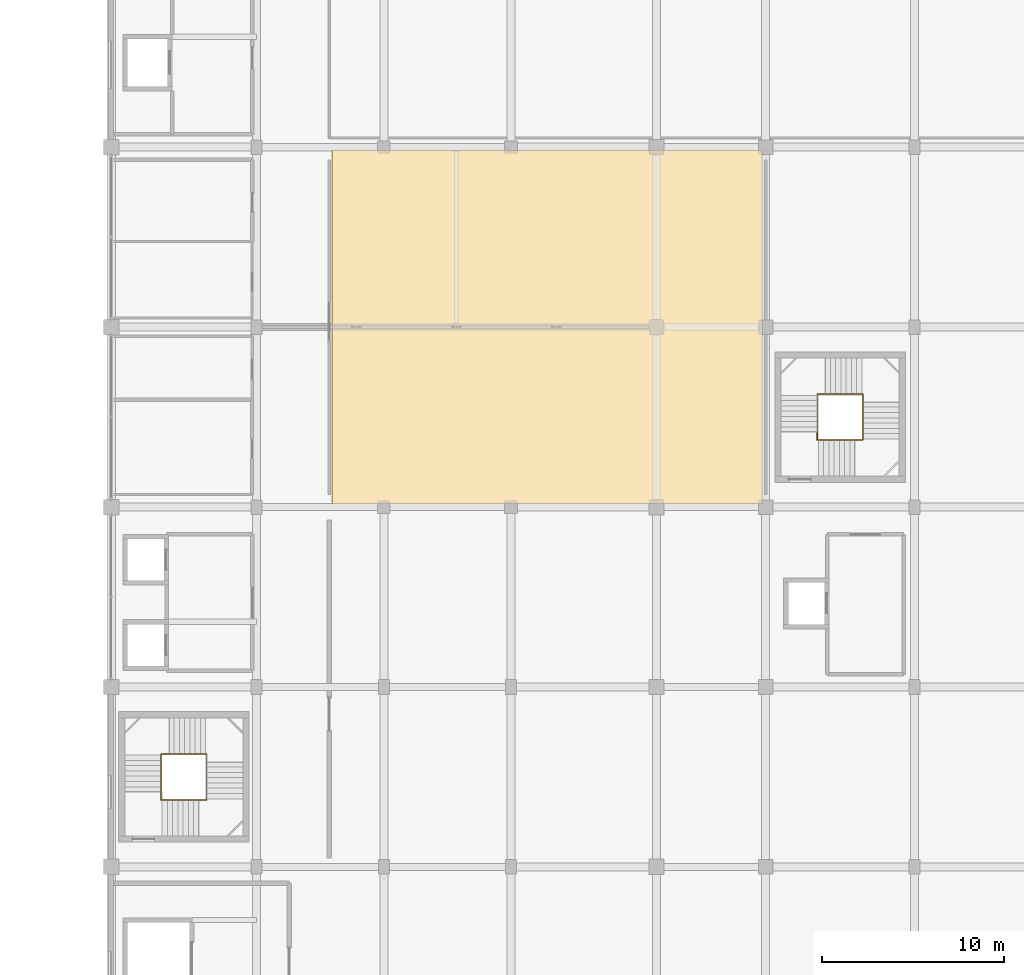
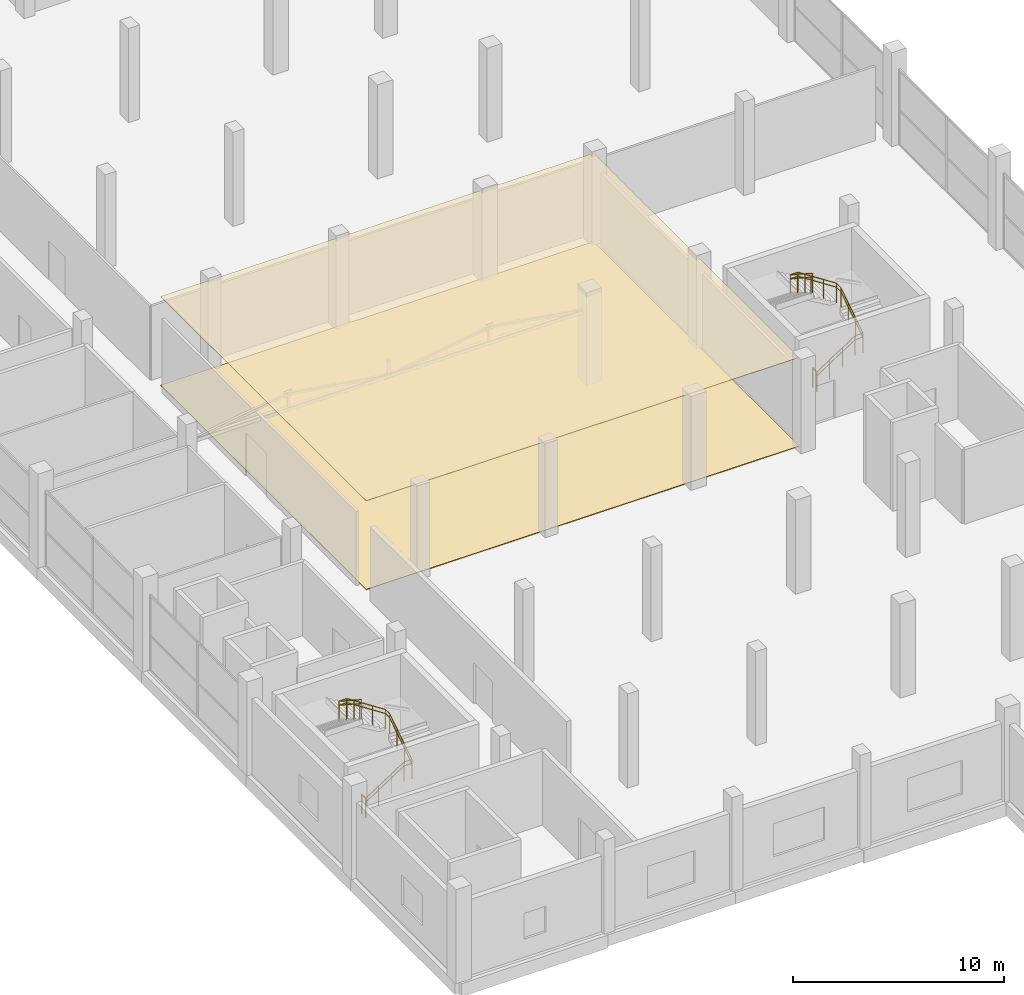
# One storey, part 69 of 72: 6 railings, 2 coverings.
"""IFC4 building model written with IfcOpenShell, lengths in metres."""

from ifc_helpers import new_model, si_unit, direction, frame, origin, origin_2d, place, context, subcontext, project, spatial, polyline, circle, outline, extrude, material, layer, layer_set, type_object, element, save


model = new_model("IFC4")

# Units and contexts
model_context = context("Model", 3, precision=1e-05, world=origin(), true_north=direction((0.0, 1.0)))
body_context = subcontext(model_context, "Body", "Model", "MODEL_VIEW")
ifc_project = project(units=[si_unit("LENGTHUNIT", "METRE"), si_unit("AREAUNIT", "SQUARE_METRE"), si_unit("VOLUMEUNIT", "CUBIC_METRE"), si_unit("PLANEANGLEUNIT", "RADIAN"), si_unit("MASSUNIT", "GRAM", prefix="KILO")], contexts=[model_context])

# Site, building, storey
site_placement = place(None, origin())
site = spatial("IfcSite", under=ifc_project, at=site_placement, CompositionType="ELEMENT")
building_placement = place(site_placement, origin())
building = spatial("IfcBuilding", under=site, at=building_placement, Name="Sillaruma Civic Art Gallery", CompositionType="ELEMENT")
storey_placement = place(building_placement, frame((0.0, 0.0, 10.8798828125)))
storey = spatial("IfcBuildingStorey", under=building, at=storey_placement, Name="L02", CompositionType="ELEMENT", Elevation=10.8798828125)

# Coverings
ifc_material_1 = material(Name="Gypsum Acoustic Board", Category="gypsum")
ifc_layer_1 = layer(ifc_material_1, 0.030029296875, Name="Gypsum Acoustic Board")
ifc_layer_set_1 = layer_set([ifc_layer_1], Name="Gypsum Acoustic Board")
covering_type_1 = type_object("IfcCoveringType", Name="COV-CLG-30", PredefinedType="CEILING", material=ifc_layer_set_1)
covering_1_placement = place(storey_placement, frame((0.0, 0.0, 5.130126953125)))
element("IfcCovering", 1, at=covering_1_placement, inside=storey, type_object=covering_type_1, Name="Acoustic Gallery Ceiling (L02-GAL21)", PredefinedType="CEILING", context=body_context, shape_type="SweptSolid", body=[
    extrude(outline(polyline([(74.159912109375, 49.659912109375), (97.840087890625, 49.659912109375), (97.840087890625, 69.139892578125), (74.159912109375, 69.139892578125), (74.159912109375, 49.659912109375)])), origin(), (0.0, 0.0, 1.0), 0.030029296875),
])
ifc_material_2 = material(Name="Basalt Paver Stone", Category="masonry")
ifc_layer_2 = layer(ifc_material_2, 0.034912109375, Name="Basalt Paver Stone")
ifc_layer_set_2 = layer_set([ifc_layer_2], Name="Basalt Paver Stone")
covering_type_2 = type_object("IfcCoveringType", Name="COV-FLR-35", PredefinedType="FLOORING", material=ifc_layer_set_2)
covering_2_placement = place(storey_placement, origin())
element("IfcCovering", 2, at=covering_2_placement, inside=storey, type_object=covering_type_2, Name="Gallery Stone Terrazzo Flooring (L02-GAL21)", PredefinedType="FLOORING", context=body_context, shape_type="SweptSolid", body=[
    extrude(outline(polyline([(74.159912109375, 49.659912109375), (97.840087890625, 49.659912109375), (97.840087890625, 69.139892578125), (74.159912109375, 69.139892578125), (74.159912109375, 49.659912109375)])), origin(), (0.0, 0.0, 1.0), 0.03515625),
])

# Railings
ifc_material_3 = material(Name="Stainless Steel AISI 316", Category="steel")
railing_type_1 = type_object("IfcRailingType", Name="RAL-BAL-1150", PredefinedType="BALUSTRADE", material=ifc_material_3)
railing_1_placement = place(storey_placement, frame((64.739990234375, 33.389892578125, 0.0)))
element("IfcRailing", 3, at=railing_1_placement, inside=storey, type_object=railing_type_1, Name="Stair Floor Edge Guard (ST-03:L02)", PredefinedType="BALUSTRADE", context=body_context, shape_type="SweptSolid", body=[
    extrude(circle(Radius=0.02392578125, at=origin_2d()), frame((0.0, 0.0, 1.1259765625), z_axis=(0.0, 1.0, 0.0), x_axis=(-1.0, 0.0, 0.0)), (0.0, 0.0, 1.0), 0.39013671875),
    extrude(circle(Radius=0.02099609375, at=origin_2d()), origin(), (0.0, 0.0, 1.0), 1.101806640625),
    extrude(circle(Radius=0.02099609375, at=origin_2d()), frame((0.0, 0.39013671875, 0.0)), (0.0, 0.0, 1.0), 1.101806640625),
])
railing_2_placement = place(storey_placement, frame((64.739990234375, 33.389892578125, 0.0)))
element("IfcRailing", 4, at=railing_2_placement, inside=storey, type_object=railing_type_1, Name="Stair Well Balustrade (ST-03-L02)", PredefinedType="BALUSTRADE", context=body_context, shape_type="SweptSolid", body=[
    extrude(circle(Radius=0.02392578125, at=origin_2d()), frame((0.0, 0.0, 1.1259765625), z_axis=(0.838159424827, 0.0, 0.545425318971), x_axis=(0.0, 1.0, 0.0)), (0.0, 0.0, 1.0), 2.49365234375),
    extrude(circle(Radius=0.02392578125, at=origin_2d()), frame((2.090087890625, 0.0, 2.48583984375), z_axis=(1.0, 0.0, 0.0), x_axis=(0.0, 1.0, 0.0)), (0.0, 0.0, 1.0), 0.429931640625),
    extrude(circle(Radius=0.02392578125, at=origin_2d()), frame((2.52001953125, 0.0, 2.48583984375), z_axis=(0.0, 0.838159424827, 0.545425318971), x_axis=(-1.0, 0.0, 0.0)), (0.0, 0.0, 1.0), 2.49365234375),
    extrude(circle(Radius=0.02392578125, at=origin_2d()), frame((2.52001953125, 2.090087890625, 3.84619140625), z_axis=(0.0, 1.0, 0.0), x_axis=(-1.0, 0.0, 0.0)), (0.0, 0.0, 1.0), 0.429931640625),
    extrude(circle(Radius=0.02392578125, at=origin_2d()), frame((2.52001953125, 2.52001953125, 3.84619140625), z_axis=(-0.838204181713, 0.0, 0.545356534534), x_axis=(0.0, -1.0, 0.0)), (0.0, 0.0, 1.0), 2.49365234375),
    extrude(circle(Radius=0.02392578125, at=origin_2d()), frame((0.429931640625, 2.52001953125, 5.2060546875), z_axis=(-1.0, 0.0, 0.0), x_axis=(0.0, -1.0, 0.0)), (0.0, 0.0, 1.0), 0.429931640625),
    extrude(circle(Radius=0.02392578125, at=origin_2d()), frame((0.0, 2.52001953125, 5.2060546875), z_axis=(0.0, -0.838130295786, 0.545470079185), x_axis=(1.0, 0.0, 0.0)), (0.0, 0.0, 1.0), 2.493408203125),
    extrude(circle(Radius=0.02099609375, at=origin_2d()), origin(), (0.0, 0.0, 1.0), 1.101806640625),
    extrude(circle(Radius=0.02099609375, at=origin_2d()), frame((0.69677734375, 0.0, 0.453369140625)), (0.0, 0.0, 1.0), 1.101806640625),
    extrude(circle(Radius=0.02099609375, at=origin_2d()), frame((1.393310546875, 0.0, 0.90673828125)), (0.0, 0.0, 1.0), 1.101806640625),
    extrude(circle(Radius=0.02099609375, at=origin_2d()), frame((2.090087890625, 0.0, 1.360107421875)), (0.0, 0.0, 1.0), 1.101806640625),
    extrude(circle(Radius=0.02099609375, at=origin_2d()), frame((2.52001953125, 0.0, 1.360107421875)), (0.0, 0.0, 1.0), 1.101806640625),
    extrude(circle(Radius=0.02099609375, at=origin_2d()), frame((2.52001953125, 0.69677734375, 1.8134765625)), (0.0, 0.0, 1.0), 1.101806640625),
    extrude(circle(Radius=0.02099609375, at=origin_2d()), frame((2.52001953125, 1.393310546875, 2.266845703125)), (0.0, 0.0, 1.0), 1.101806640625),
    extrude(circle(Radius=0.02099609375, at=origin_2d()), frame((2.52001953125, 2.090087890625, 2.72021484375)), (0.0, 0.0, 1.0), 1.101806640625),
    extrude(circle(Radius=0.02099609375, at=origin_2d()), frame((2.52001953125, 2.52001953125, 2.72021484375)), (0.0, 0.0, 1.0), 1.101806640625),
    extrude(circle(Radius=0.02099609375, at=origin_2d()), frame((1.8232421875, 2.52001953125, 3.173583984375)), (0.0, 0.0, 1.0), 1.101806640625),
    extrude(circle(Radius=0.02099609375, at=origin_2d()), frame((1.126708984375, 2.52001953125, 3.626708984375)), (0.0, 0.0, 1.0), 1.101806640625),
    extrude(circle(Radius=0.02099609375, at=origin_2d()), frame((0.429931640625, 2.52001953125, 4.080078125)), (0.0, 0.0, 1.0), 1.101806640625),
    extrude(circle(Radius=0.02099609375, at=origin_2d()), frame((0.0, 2.52001953125, 4.080078125)), (0.0, 0.0, 1.0), 1.101806640625),
    extrude(circle(Radius=0.02099609375, at=origin_2d()), frame((0.0, 1.823486328125, 4.533447265625)), (0.0, 0.0, 1.0), 1.101806640625),
    extrude(circle(Radius=0.02099609375, at=origin_2d()), frame((0.0, 1.126708984375, 4.98681640625)), (0.0, 0.0, 1.0), 1.101806640625),
    extrude(circle(Radius=0.02099609375, at=origin_2d()), frame((0.0, 0.43017578125, 5.440185546875)), (0.0, 0.0, 1.0), 1.101806640625),
])
railing_3_placement = place(storey_placement, frame((100.840087890625, 53.18994140625, 0.0)))
element("IfcRailing", 5, at=railing_3_placement, inside=storey, type_object=railing_type_1, Name="Stair Floor Edge Guard (ST-04:L02)", PredefinedType="BALUSTRADE", context=body_context, shape_type="SweptSolid", body=[
    extrude(circle(Radius=0.02392578125, at=origin_2d()), frame((0.0, 0.0, 1.1259765625), z_axis=(0.0, 1.0, 0.0), x_axis=(-1.0, 0.0, 0.0)), (0.0, 0.0, 1.0), 0.39013671875),
    extrude(circle(Radius=0.02099609375, at=origin_2d()), origin(), (0.0, 0.0, 1.0), 1.101806640625),
    extrude(circle(Radius=0.02099609375, at=origin_2d()), frame((0.0, 0.39013671875, 0.0)), (0.0, 0.0, 1.0), 1.101806640625),
])
railing_4_placement = place(storey_placement, frame((100.840087890625, 53.18994140625, 0.0)))
element("IfcRailing", 6, at=railing_4_placement, inside=storey, type_object=railing_type_1, Name="Stair Well Balustrade (ST-04-L02)", PredefinedType="BALUSTRADE", context=body_context, shape_type="SweptSolid", body=[
    extrude(circle(Radius=0.02392578125, at=origin_2d()), frame((0.0, 0.0, 1.1259765625), z_axis=(0.838130295786, 0.0, 0.545470079185), x_axis=(0.0, 1.0, 0.0)), (0.0, 0.0, 1.0), 2.493408203125),
    extrude(circle(Radius=0.02392578125, at=origin_2d()), frame((2.08984375, 0.0, 2.48583984375), z_axis=(1.0, 0.0, 0.0), x_axis=(0.0, 1.0, 0.0)), (0.0, 0.0, 1.0), 0.43017578125),
    extrude(circle(Radius=0.02392578125, at=origin_2d()), frame((2.52001953125, 0.0, 2.48583984375), z_axis=(0.0, 0.838159424827, 0.545425318971), x_axis=(-1.0, 0.0, 0.0)), (0.0, 0.0, 1.0), 2.49365234375),
    extrude(circle(Radius=0.02392578125, at=origin_2d()), frame((2.52001953125, 2.090087890625, 3.84619140625), z_axis=(0.0, 1.0, 0.0), x_axis=(-1.0, 0.0, 0.0)), (0.0, 0.0, 1.0), 0.429931640625),
    extrude(circle(Radius=0.02392578125, at=origin_2d()), frame((2.52001953125, 2.52001953125, 3.84619140625), z_axis=(-0.838204181713, 0.0, 0.545356534534), x_axis=(0.0, -1.0, 0.0)), (0.0, 0.0, 1.0), 2.49365234375),
    extrude(circle(Radius=0.02392578125, at=origin_2d()), frame((0.429931640625, 2.52001953125, 5.2060546875), z_axis=(-1.0, 0.0, 0.0), x_axis=(0.0, -1.0, 0.0)), (0.0, 0.0, 1.0), 0.429931640625),
    extrude(circle(Radius=0.02392578125, at=origin_2d()), frame((0.0, 2.52001953125, 5.2060546875), z_axis=(0.0, -0.838130295786, 0.545470079185), x_axis=(1.0, 0.0, 0.0)), (0.0, 0.0, 1.0), 2.493408203125),
    extrude(circle(Radius=0.02099609375, at=origin_2d()), origin(), (0.0, 0.0, 1.0), 1.101806640625),
    extrude(circle(Radius=0.02099609375, at=origin_2d()), frame((0.696533203125, 0.0, 0.453369140625)), (0.0, 0.0, 1.0), 1.101806640625),
    extrude(circle(Radius=0.02099609375, at=origin_2d()), frame((1.393310546875, 0.0, 0.90673828125)), (0.0, 0.0, 1.0), 1.101806640625),
    extrude(circle(Radius=0.02099609375, at=origin_2d()), frame((2.08984375, 0.0, 1.360107421875)), (0.0, 0.0, 1.0), 1.101806640625),
    extrude(circle(Radius=0.02099609375, at=origin_2d()), frame((2.52001953125, 0.0, 1.360107421875)), (0.0, 0.0, 1.0), 1.101806640625),
    extrude(circle(Radius=0.02099609375, at=origin_2d()), frame((2.52001953125, 0.69677734375, 1.8134765625)), (0.0, 0.0, 1.0), 1.101806640625),
    extrude(circle(Radius=0.02099609375, at=origin_2d()), frame((2.52001953125, 1.393310546875, 2.266845703125)), (0.0, 0.0, 1.0), 1.101806640625),
    extrude(circle(Radius=0.02099609375, at=origin_2d()), frame((2.52001953125, 2.090087890625, 2.72021484375)), (0.0, 0.0, 1.0), 1.101806640625),
    extrude(circle(Radius=0.02099609375, at=origin_2d()), frame((2.52001953125, 2.52001953125, 2.72021484375)), (0.0, 0.0, 1.0), 1.101806640625),
    extrude(circle(Radius=0.02099609375, at=origin_2d()), frame((1.8232421875, 2.52001953125, 3.173583984375)), (0.0, 0.0, 1.0), 1.101806640625),
    extrude(circle(Radius=0.02099609375, at=origin_2d()), frame((1.126708984375, 2.52001953125, 3.626708984375)), (0.0, 0.0, 1.0), 1.101806640625),
    extrude(circle(Radius=0.02099609375, at=origin_2d()), frame((0.429931640625, 2.52001953125, 4.080078125)), (0.0, 0.0, 1.0), 1.101806640625),
    extrude(circle(Radius=0.02099609375, at=origin_2d()), frame((0.0, 2.52001953125, 4.080078125)), (0.0, 0.0, 1.0), 1.101806640625),
    extrude(circle(Radius=0.02099609375, at=origin_2d()), frame((0.0, 1.823486328125, 4.533447265625)), (0.0, 0.0, 1.0), 1.101806640625),
    extrude(circle(Radius=0.02099609375, at=origin_2d()), frame((0.0, 1.126708984375, 4.98681640625)), (0.0, 0.0, 1.0), 1.101806640625),
    extrude(circle(Radius=0.02099609375, at=origin_2d()), frame((0.0, 0.43017578125, 5.440185546875)), (0.0, 0.0, 1.0), 1.101806640625),
])
railing_type_2 = type_object("IfcRailingType", Name="RAL-HND-920", PredefinedType="HANDRAIL", material=ifc_material_3)
railing_5_placement = place(storey_placement, frame((64.739990234375, 33.389892578125, 0.0)))
element("IfcRailing", 7, at=railing_5_placement, inside=storey, type_object=railing_type_2, Name="Stair Continuous Handrail (ST-03-L02)", PredefinedType="HANDRAIL", context=body_context, shape_type="SweptSolid", body=[
    extrude(circle(Radius=0.02392578125, at=origin_2d()), frame((0.0, 0.0, 0.89599609375), z_axis=(0.838159424827, 0.0, 0.545425318971), x_axis=(0.0, 1.0, 0.0)), (0.0, 0.0, 1.0), 2.49365234375),
    extrude(circle(Radius=0.02392578125, at=origin_2d()), frame((2.090087890625, 0.0, 2.255859375), z_axis=(1.0, 0.0, 0.0), x_axis=(0.0, 1.0, 0.0)), (0.0, 0.0, 1.0), 0.429931640625),
    extrude(circle(Radius=0.02392578125, at=origin_2d()), frame((2.52001953125, 0.0, 2.255859375), z_axis=(0.0, 0.838159424827, 0.545425318971), x_axis=(-1.0, 0.0, 0.0)), (0.0, 0.0, 1.0), 2.49365234375),
    extrude(circle(Radius=0.02392578125, at=origin_2d()), frame((2.52001953125, 2.090087890625, 3.6162109375), z_axis=(0.0, 1.0, 0.0), x_axis=(-1.0, 0.0, 0.0)), (0.0, 0.0, 1.0), 0.429931640625),
    extrude(circle(Radius=0.02392578125, at=origin_2d()), frame((2.52001953125, 2.52001953125, 3.6162109375), z_axis=(-0.838204181713, 0.0, 0.545356534534), x_axis=(0.0, -1.0, 0.0)), (0.0, 0.0, 1.0), 2.49365234375),
    extrude(circle(Radius=0.02392578125, at=origin_2d()), frame((0.429931640625, 2.52001953125, 4.97607421875), z_axis=(-1.0, 0.0, 0.0), x_axis=(0.0, -1.0, 0.0)), (0.0, 0.0, 1.0), 0.429931640625),
    extrude(circle(Radius=0.02392578125, at=origin_2d()), frame((0.0, 2.52001953125, 4.97607421875), z_axis=(0.0, -0.838130295786, 0.545470079185), x_axis=(1.0, 0.0, 0.0)), (0.0, 0.0, 1.0), 2.493408203125),
    extrude(circle(Radius=0.02099609375, at=origin_2d()), origin(), (0.0, 0.0, 1.0), 0.871826171875),
    extrude(circle(Radius=0.02099609375, at=origin_2d()), frame((0.69677734375, 0.0, 0.453369140625)), (0.0, 0.0, 1.0), 0.871826171875),
    extrude(circle(Radius=0.02099609375, at=origin_2d()), frame((1.393310546875, 0.0, 0.90673828125)), (0.0, 0.0, 1.0), 0.871826171875),
    extrude(circle(Radius=0.02099609375, at=origin_2d()), frame((2.090087890625, 0.0, 1.360107421875)), (0.0, 0.0, 1.0), 0.871826171875),
    extrude(circle(Radius=0.02099609375, at=origin_2d()), frame((2.52001953125, 0.0, 1.360107421875)), (0.0, 0.0, 1.0), 0.871826171875),
    extrude(circle(Radius=0.02099609375, at=origin_2d()), frame((2.52001953125, 0.69677734375, 1.8134765625)), (0.0, 0.0, 1.0), 0.871826171875),
    extrude(circle(Radius=0.02099609375, at=origin_2d()), frame((2.52001953125, 1.393310546875, 2.266845703125)), (0.0, 0.0, 1.0), 0.871826171875),
    extrude(circle(Radius=0.02099609375, at=origin_2d()), frame((2.52001953125, 2.090087890625, 2.72021484375)), (0.0, 0.0, 1.0), 0.871826171875),
    extrude(circle(Radius=0.02099609375, at=origin_2d()), frame((2.52001953125, 2.52001953125, 2.72021484375)), (0.0, 0.0, 1.0), 0.871826171875),
    extrude(circle(Radius=0.02099609375, at=origin_2d()), frame((1.8232421875, 2.52001953125, 3.173583984375)), (0.0, 0.0, 1.0), 0.871826171875),
    extrude(circle(Radius=0.02099609375, at=origin_2d()), frame((1.126708984375, 2.52001953125, 3.626708984375)), (0.0, 0.0, 1.0), 0.871826171875),
    extrude(circle(Radius=0.02099609375, at=origin_2d()), frame((0.429931640625, 2.52001953125, 4.080078125)), (0.0, 0.0, 1.0), 0.871826171875),
    extrude(circle(Radius=0.02099609375, at=origin_2d()), frame((0.0, 2.52001953125, 4.080078125)), (0.0, 0.0, 1.0), 0.871826171875),
    extrude(circle(Radius=0.02099609375, at=origin_2d()), frame((0.0, 1.823486328125, 4.533447265625)), (0.0, 0.0, 1.0), 0.871826171875),
    extrude(circle(Radius=0.02099609375, at=origin_2d()), frame((0.0, 1.126708984375, 4.98681640625)), (0.0, 0.0, 1.0), 0.871826171875),
    extrude(circle(Radius=0.02099609375, at=origin_2d()), frame((0.0, 0.43017578125, 5.440185546875)), (0.0, 0.0, 1.0), 0.871826171875),
])
railing_6_placement = place(storey_placement, frame((100.840087890625, 53.18994140625, 0.0)))
element("IfcRailing", 8, at=railing_6_placement, inside=storey, type_object=railing_type_2, Name="Stair Continuous Handrail (ST-04-L02)", PredefinedType="HANDRAIL", context=body_context, shape_type="SweptSolid", body=[
    extrude(circle(Radius=0.02392578125, at=origin_2d()), frame((0.0, 0.0, 0.89599609375), z_axis=(0.838130295786, 0.0, 0.545470079185), x_axis=(0.0, 1.0, 0.0)), (0.0, 0.0, 1.0), 2.493408203125),
    extrude(circle(Radius=0.02392578125, at=origin_2d()), frame((2.08984375, 0.0, 2.255859375), z_axis=(1.0, 0.0, 0.0), x_axis=(0.0, 1.0, 0.0)), (0.0, 0.0, 1.0), 0.43017578125),
    extrude(circle(Radius=0.02392578125, at=origin_2d()), frame((2.52001953125, 0.0, 2.255859375), z_axis=(0.0, 0.838159424827, 0.545425318971), x_axis=(-1.0, 0.0, 0.0)), (0.0, 0.0, 1.0), 2.49365234375),
    extrude(circle(Radius=0.02392578125, at=origin_2d()), frame((2.52001953125, 2.090087890625, 3.6162109375), z_axis=(0.0, 1.0, 0.0), x_axis=(-1.0, 0.0, 0.0)), (0.0, 0.0, 1.0), 0.429931640625),
    extrude(circle(Radius=0.02392578125, at=origin_2d()), frame((2.52001953125, 2.52001953125, 3.6162109375), z_axis=(-0.838204181713, 0.0, 0.545356534534), x_axis=(0.0, -1.0, 0.0)), (0.0, 0.0, 1.0), 2.49365234375),
    extrude(circle(Radius=0.02392578125, at=origin_2d()), frame((0.429931640625, 2.52001953125, 4.97607421875), z_axis=(-1.0, 0.0, 0.0), x_axis=(0.0, -1.0, 0.0)), (0.0, 0.0, 1.0), 0.429931640625),
    extrude(circle(Radius=0.02392578125, at=origin_2d()), frame((0.0, 2.52001953125, 4.97607421875), z_axis=(0.0, -0.838130295786, 0.545470079185), x_axis=(1.0, 0.0, 0.0)), (0.0, 0.0, 1.0), 2.493408203125),
    extrude(circle(Radius=0.02099609375, at=origin_2d()), origin(), (0.0, 0.0, 1.0), 0.871826171875),
    extrude(circle(Radius=0.02099609375, at=origin_2d()), frame((0.696533203125, 0.0, 0.453369140625)), (0.0, 0.0, 1.0), 0.871826171875),
    extrude(circle(Radius=0.02099609375, at=origin_2d()), frame((1.393310546875, 0.0, 0.90673828125)), (0.0, 0.0, 1.0), 0.871826171875),
    extrude(circle(Radius=0.02099609375, at=origin_2d()), frame((2.08984375, 0.0, 1.360107421875)), (0.0, 0.0, 1.0), 0.871826171875),
    extrude(circle(Radius=0.02099609375, at=origin_2d()), frame((2.52001953125, 0.0, 1.360107421875)), (0.0, 0.0, 1.0), 0.871826171875),
    extrude(circle(Radius=0.02099609375, at=origin_2d()), frame((2.52001953125, 0.69677734375, 1.8134765625)), (0.0, 0.0, 1.0), 0.871826171875),
    extrude(circle(Radius=0.02099609375, at=origin_2d()), frame((2.52001953125, 1.393310546875, 2.266845703125)), (0.0, 0.0, 1.0), 0.871826171875),
    extrude(circle(Radius=0.02099609375, at=origin_2d()), frame((2.52001953125, 2.090087890625, 2.72021484375)), (0.0, 0.0, 1.0), 0.871826171875),
    extrude(circle(Radius=0.02099609375, at=origin_2d()), frame((2.52001953125, 2.52001953125, 2.72021484375)), (0.0, 0.0, 1.0), 0.871826171875),
    extrude(circle(Radius=0.02099609375, at=origin_2d()), frame((1.8232421875, 2.52001953125, 3.173583984375)), (0.0, 0.0, 1.0), 0.871826171875),
    extrude(circle(Radius=0.02099609375, at=origin_2d()), frame((1.126708984375, 2.52001953125, 3.626708984375)), (0.0, 0.0, 1.0), 0.871826171875),
    extrude(circle(Radius=0.02099609375, at=origin_2d()), frame((0.429931640625, 2.52001953125, 4.080078125)), (0.0, 0.0, 1.0), 0.871826171875),
    extrude(circle(Radius=0.02099609375, at=origin_2d()), frame((0.0, 2.52001953125, 4.080078125)), (0.0, 0.0, 1.0), 0.871826171875),
    extrude(circle(Radius=0.02099609375, at=origin_2d()), frame((0.0, 1.823486328125, 4.533447265625)), (0.0, 0.0, 1.0), 0.871826171875),
    extrude(circle(Radius=0.02099609375, at=origin_2d()), frame((0.0, 1.126708984375, 4.98681640625)), (0.0, 0.0, 1.0), 0.871826171875),
    extrude(circle(Radius=0.02099609375, at=origin_2d()), frame((0.0, 0.43017578125, 5.440185546875)), (0.0, 0.0, 1.0), 0.871826171875),
])

save(model, "model.ifc")
